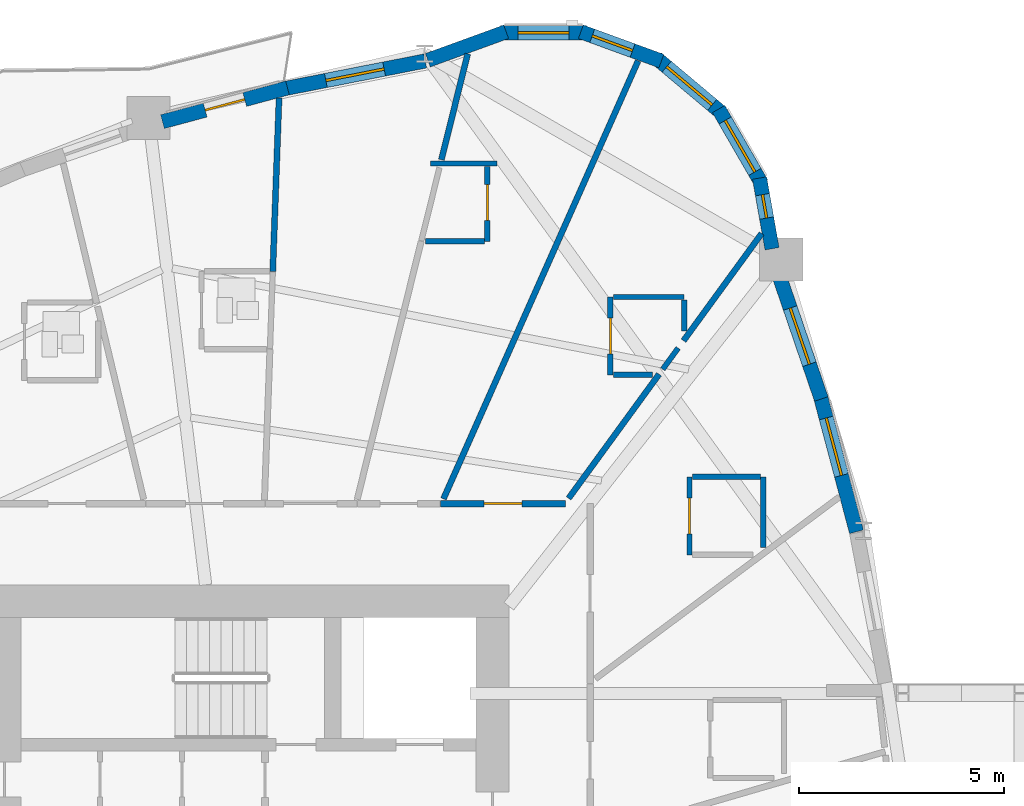
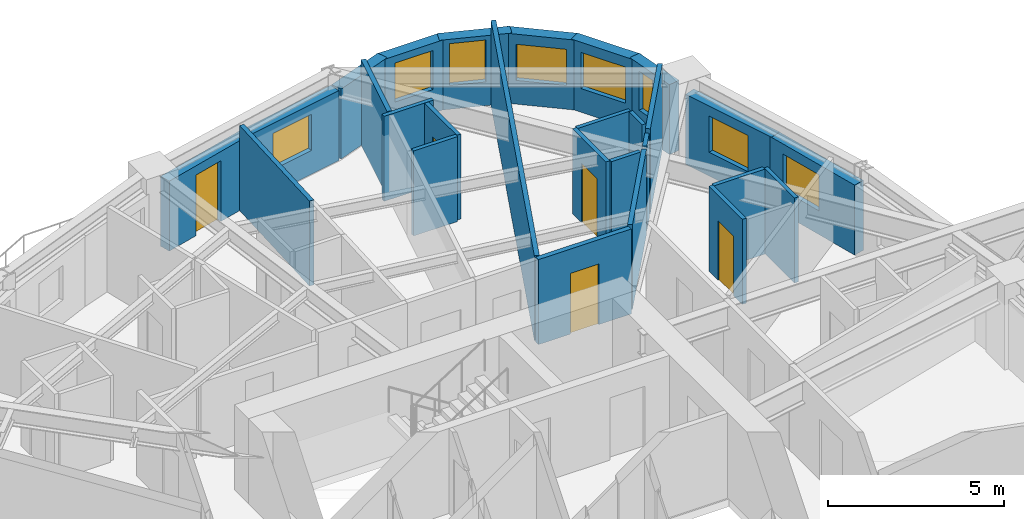
# One storey, part 10 of 16: 27 walls, 8 windows, 5 doors, 13 openings.
"""IFC4 building model written with IfcOpenShell, lengths in metres."""

from ifc_helpers import new_model, si_unit, direction, frame, frame_2d, origin, place, context, subcontext, project, spatial, rectangle, extrude, source, transform, mapped, material, layer, layer_set, type_object, element, fill, save


model = new_model("IFC4")

# Units and contexts
model_context = context("Model", 3, precision=1e-05, world=origin(), true_north=direction((0.0, 1.0)))
body_context = subcontext(model_context, "Body", "Model", "MODEL_VIEW")
ifc_project = project(units=[si_unit("LENGTHUNIT", "METRE"), si_unit("AREAUNIT", "SQUARE_METRE"), si_unit("VOLUMEUNIT", "CUBIC_METRE"), si_unit("PLANEANGLEUNIT", "RADIAN"), si_unit("MASSUNIT", "GRAM", prefix="KILO")], contexts=[model_context])

# Site, building, storey
site_placement = place(None, origin())
site = spatial("IfcSite", under=ifc_project, at=site_placement, CompositionType="ELEMENT")
building_placement = place(site_placement, origin())
building = spatial("IfcBuilding", under=site, at=building_placement, Name="Qafzar Sky-Pleat Residences", CompositionType="ELEMENT")
storey_placement = place(building_placement, frame((0.0, 0.0, 33.39990234375)))
storey = spatial("IfcBuildingStorey", under=building, at=storey_placement, Name="L09", CompositionType="ELEMENT", Elevation=33.39990234375)

# Wall, opening, door
ifc_material_1 = material(Name="Acoustic gypsum plasterboard partition", Category="gypsum")
ifc_layer_1 = layer(ifc_material_1, 0.159912109375)
ifc_layer_set_1 = layer_set([ifc_layer_1], Name="Acoustic gypsum plasterboard partition")
wall_type_1 = type_object("IfcWallType", Name="PART-COR-160", PredefinedType="PARTITIONING", material=ifc_layer_set_1)
wall_1_placement = place(storey_placement, frame((35.035888671875, 36.580078125, 0.0), z_axis=(0.0, 0.0, 1.0), x_axis=(1.0, 0.0, 0.0)))
wall_1 = element("IfcWall", 1, at=wall_1_placement, inside=storey, type_object=wall_type_1, Name="L09 Partition Wall PART-L09-PW-013", PredefinedType="PARTITIONING", context=body_context, shape_type="SweptSolid", body=[
    extrude(rectangle(XDim=3.045166015625, YDim=0.159912109375, at=frame_2d((1.5224609375, 0.0))), origin(), (0.0, 0.0, 1.0), 2.940185546875),
])
opening_1_placement = place(wall_1_placement, frame((1.0615234375, 0.0, 0.0)))
opening_1 = element("IfcOpeningElement", 2, at=opening_1_placement, cuts=wall_1, Name="Opening ID-04", PredefinedType="OPENING", context=body_context, shape_type="SweptSolid", body=[
    extrude(rectangle(XDim=0.919921875, YDim=2.10009765625, at=frame_2d((0.4599609375, 1.050048828125))), frame((0.0, 0.08984375, 0.0), z_axis=(0.0, -1.0, 0.0), x_axis=(1.0, 0.0, 0.0)), (0.0, 0.0, 1.0), 0.179931640625),
])
ifc_material_2 = material(Name="Timber-faced fire door", Category="wood")
door_type_1 = type_object("IfcDoorType", Name="DR-BED-920", OperationType="NOTDEFINED", PredefinedType="DOOR", material=ifc_material_2)
shared_shape_1 = source(origin(), body_context, "Body", "SweptSolid", [
    extrude(rectangle(XDim=0.919921875, YDim=2.10009765625, at=frame_2d((0.4599609375, 1.050048828125))), frame((0.0, 0.02490234375, 0.0), z_axis=(0.0, -1.0, 0.0), x_axis=(1.0, 0.0, 0.0)), (0.0, 0.0, 1.0), 0.050048828125),
])
door_1_placement = place(opening_1_placement, origin())
door_1 = element("IfcDoor", 3, at=door_1_placement, inside=storey, type_object=door_type_1, Name="L09 Co-Living Bedroom 11 Door", OperationType="SINGLE_SWING_LEFT", OverallHeight=2.10009765625, OverallWidth=0.919921875, PredefinedType="DOOR", context=body_context, shape_type="MappedRepresentation", body=[
    mapped(shared_shape_1, transform((0.0, 0.0, 0.0), x_axis=(1.0, 0.0, 0.0), y_axis=(0.0, 1.0, 0.0), z_axis=(0.0, 0.0, 1.0), scale=1.0)),
])
fill(opening_1, door_1)

# Walls
ifc_layer_2 = layer(ifc_material_1, 0.14501953125)
ifc_layer_set_2 = layer_set([ifc_layer_2], Name="Acoustic gypsum plasterboard partition")
wall_type_2 = type_object("IfcWallType", Name="PART-UNIT-145", PredefinedType="PARTITIONING", material=ifc_layer_set_2)
wall_2_placement = place(storey_placement, frame((35.10400390625, 36.69677734375, 0.0), z_axis=(0.0, 0.0, 1.0), x_axis=(0.406121034368, 0.913819295837, 0.0)))
element("IfcWall", 4, at=wall_2_placement, inside=storey, type_object=wall_type_2, Name="L09 Partition Wall PART-L09-PW-035", PredefinedType="PARTITIONING", context=body_context, shape_type="SweptSolid", body=[
    extrude(rectangle(XDim=11.6953125, YDim=0.14501953125, at=frame_2d((5.84765625, 0.0))), origin(), (0.0, 0.0, 1.0), 2.940185546875),
])
wall_3_placement = place(storey_placement, frame((30.93994140625, 42.2470703125, 0.0), z_axis=(0.0, 0.0, 1.0), x_axis=(0.03624948077, 0.999342771597, 0.0)))
element("IfcWall", 5, at=wall_3_placement, inside=storey, type_object=wall_type_2, Name="L09 Partition Wall PART-L09-PW-052", PredefinedType="PARTITIONING", context=body_context, shape_type="SweptSolid", body=[
    extrude(rectangle(XDim=4.2294921875, YDim=0.14501953125, at=frame_2d((2.11474609375, 0.0))), origin(), (0.0, 0.0, 1.0), 2.940185546875),
])
wall_4_placement = place(storey_placement, frame((38.156982421875, 36.709228515625, 0.0), z_axis=(0.0, 0.0, 1.0), x_axis=(0.589039209188, 0.808104454906, 0.0)))
element("IfcWall", 6, at=wall_4_placement, inside=storey, type_object=wall_type_2, Name="L09 Partition Wall PART-L09-PW-053", PredefinedType="PARTITIONING", context=body_context, shape_type="SweptSolid", body=[
    extrude(rectangle(XDim=3.746826171875, YDim=0.14501953125, at=frame_2d((1.87353515625, 0.0))), origin(), (0.0, 0.0, 1.0), 2.940185546875),
])
wall_5_placement = place(storey_placement, frame((40.9609375, 40.554931640625, 0.0), z_axis=(0.0, 0.0, 1.0), x_axis=(0.589014212848, 0.808122674514, 0.0)))
element("IfcWall", 7, at=wall_5_placement, inside=storey, type_object=wall_type_2, Name="L09 Partition Wall PART-L09-PW-057", PredefinedType="PARTITIONING", context=body_context, shape_type="SweptSolid", body=[
    extrude(rectangle(XDim=3.238037109375, YDim=0.14501953125, at=frame_2d((1.619140625, 0.0))), origin(), (0.0, 0.0, 1.0), 2.940185546875),
])
wall_6_placement = place(storey_placement, frame((35.054443359375, 44.96923828125, 0.0), z_axis=(0.0, 0.0, 1.0), x_axis=(0.240615617293, 0.970620484388, 0.0)))
element("IfcWall", 8, at=wall_6_placement, inside=storey, type_object=wall_type_2, Name="L09 Partition Wall PART-L09-PW-058", PredefinedType="PARTITIONING", context=body_context, shape_type="SweptSolid", body=[
    extrude(rectangle(XDim=2.66357421875, YDim=0.14501953125, at=frame_2d((1.331787109375, 0.0))), origin(), (0.0, 0.0, 1.0), 2.940185546875),
])

# Wall, opening, door
ifc_material_3 = material(Name="Moisture-resistant gypsum partition", Category="gypsum")
ifc_layer_3 = layer(ifc_material_3, 0.1298828125)
ifc_layer_set_3 = layer_set([ifc_layer_3], Name="Moisture-resistant gypsum partition")
wall_type_3 = type_object("IfcWallType", Name="PART-WET-130", PredefinedType="PARTITIONING", material=ifc_layer_set_3)
wall_7_placement = place(storey_placement, frame((41.10595703125, 37.23291015625, 0.0), z_axis=(0.0, 0.0, 1.0), x_axis=(0.0, -1.0, 0.0)))
wall_7 = element("IfcWall", 9, at=wall_7_placement, inside=storey, type_object=wall_type_3, Name="L09 Partition Wall PART-L09-PW-027", PredefinedType="PARTITIONING", context=body_context, shape_type="SweptSolid", body=[
    extrude(rectangle(XDim=1.89990234375, YDim=0.1298828125, at=frame_2d((0.949951171875, 0.0))), origin(), (0.0, 0.0, 1.0), 2.940185546875),
])
opening_2_placement = place(wall_7_placement, frame((0.510009765625, 0.0, 0.0)))
opening_2 = element("IfcOpeningElement", 10, at=opening_2_placement, cuts=wall_7, Name="Opening ID-07", PredefinedType="OPENING", context=body_context, shape_type="SweptSolid", body=[
    extrude(rectangle(XDim=0.8798828125, YDim=2.050048828125, at=frame_2d((0.43994140625, 1.02490234375))), frame((0.0, 0.074951171875, 0.0), z_axis=(0.0, -1.0, 0.0), x_axis=(1.0, 0.0, 0.0)), (0.0, 0.0, 1.0), 0.14990234375),
])
door_type_2 = type_object("IfcDoorType", Name="DR-WET-880", OperationType="NOTDEFINED", PredefinedType="DOOR", material=ifc_material_2)
shared_shape_2 = source(origin(), body_context, "Body", "SweptSolid", [
    extrude(rectangle(XDim=0.8798828125, YDim=2.050048828125, at=frame_2d((0.43994140625, 1.02490234375))), frame((0.0, 0.02490234375, 0.0), z_axis=(0.0, -1.0, 0.0), x_axis=(1.0, 0.0, 0.0)), (0.0, 0.0, 1.0), 0.050048828125),
])
door_2_placement = place(opening_2_placement, origin())
door_2 = element("IfcDoor", 11, at=door_2_placement, inside=storey, type_object=door_type_2, Name="L09 En-suite Bathroom 10 Door", OperationType="SINGLE_SWING_LEFT", OverallHeight=2.050048828125, OverallWidth=0.8798828125, PredefinedType="DOOR", context=body_context, shape_type="MappedRepresentation", body=[
    mapped(shared_shape_2, transform((0.0, 0.0, 0.0), x_axis=(1.0, 0.0, 0.0), y_axis=(0.0, 1.0, 0.0), z_axis=(0.0, 0.0, 1.0), scale=1.0)),
])
fill(opening_2, door_2)

wall_8_placement = place(storey_placement, frame((39.176025390625, 41.6220703125, 0.0), z_axis=(0.0, 0.0, 1.0), x_axis=(0.0, -1.0, 0.0)))
wall_8 = element("IfcWall", 12, at=wall_8_placement, inside=storey, type_object=wall_type_3, Name="L09 Partition Wall PART-L09-PW-028", PredefinedType="PARTITIONING", context=body_context, shape_type="SweptSolid", body=[
    extrude(rectangle(XDim=1.900146484375, YDim=0.1298828125, at=frame_2d((0.9501953125, 0.0))), origin(), (0.0, 0.0, 1.0), 2.940185546875),
])
opening_3_placement = place(wall_8_placement, frame((0.510009765625, 0.0, 0.0)))
opening_3 = element("IfcOpeningElement", 13, at=opening_3_placement, cuts=wall_8, Name="Opening ID-07", PredefinedType="OPENING", context=body_context, shape_type="SweptSolid", body=[
    extrude(rectangle(XDim=0.8798828125, YDim=2.050048828125, at=frame_2d((0.43994140625, 1.02490234375))), frame((0.0, 0.074951171875, 0.0), z_axis=(0.0, -1.0, 0.0), x_axis=(1.0, 0.0, 0.0)), (0.0, 0.0, 1.0), 0.14990234375),
])
door_3_placement = place(opening_3_placement, origin())
door_3 = element("IfcDoor", 14, at=door_3_placement, inside=storey, type_object=door_type_2, Name="L09 En-suite Bathroom 11 Door", OperationType="SINGLE_SWING_RIGHT", OverallHeight=2.050048828125, OverallWidth=0.8798828125, PredefinedType="DOOR", context=body_context, shape_type="MappedRepresentation", body=[
    mapped(shared_shape_2, transform((0.0, 0.0, 0.0), x_axis=(1.0, 0.0, 0.0), y_axis=(0.0, 1.0, 0.0), z_axis=(0.0, 0.0, 1.0), scale=1.0)),
])
fill(opening_3, door_3)

wall_9_placement = place(storey_placement, frame((36.176025390625, 42.97900390625, 0.0), z_axis=(0.0, 0.0, 1.0), x_axis=(0.0, 1.0, 0.0)))
wall_9 = element("IfcWall", 15, at=wall_9_placement, inside=storey, type_object=wall_type_3, Name="L09 Partition Wall PART-L09-PW-029", PredefinedType="PARTITIONING", context=body_context, shape_type="SweptSolid", body=[
    extrude(rectangle(XDim=1.826904296875, YDim=0.1298828125, at=frame_2d((0.91357421875, 0.0))), origin(), (0.0, 0.0, 1.0), 2.940185546875),
])
opening_4_placement = place(wall_9_placement, frame((0.510009765625, 0.0, 0.0)))
opening_4 = element("IfcOpeningElement", 16, at=opening_4_placement, cuts=wall_9, Name="Opening ID-07", PredefinedType="OPENING", context=body_context, shape_type="SweptSolid", body=[
    extrude(rectangle(XDim=0.8798828125, YDim=2.050048828125, at=frame_2d((0.43994140625, 1.02490234375))), frame((0.0, 0.074951171875, 0.0), z_axis=(0.0, -1.0, 0.0), x_axis=(1.0, 0.0, 0.0)), (0.0, 0.0, 1.0), 0.14990234375),
])
door_4_placement = place(opening_4_placement, origin())
door_4 = element("IfcDoor", 17, at=door_4_placement, inside=storey, type_object=door_type_2, Name="L09 En-suite Bathroom 12 Door", OperationType="SINGLE_SWING_LEFT", OverallHeight=2.050048828125, OverallWidth=0.8798828125, PredefinedType="DOOR", context=body_context, shape_type="MappedRepresentation", body=[
    mapped(shared_shape_2, transform((0.0, 0.0, 0.0), x_axis=(1.0, 0.0, 0.0), y_axis=(0.0, 1.0, 0.0), z_axis=(0.0, 0.0, 1.0), scale=1.0)),
])
fill(opening_4, door_4)

# Walls
wall_10_placement = place(storey_placement, frame((42.906005859375, 35.505859375, 0.0), z_axis=(0.0, 0.0, 1.0), x_axis=(0.0, 1.0, 0.0)))
element("IfcWall", 18, at=wall_10_placement, inside=storey, type_object=wall_type_3, Name="L09 Partition Wall PART-L09-PW-065", PredefinedType="PARTITIONING", context=body_context, shape_type="SweptSolid", body=[
    extrude(rectangle(XDim=1.72705078125, YDim=0.1298828125, at=frame_2d((0.863525390625, 0.0))), origin(), (0.0, 0.0, 1.0), 2.940185546875),
])
wall_11_placement = place(storey_placement, frame((41.178955078125, 37.23291015625, 0.0), z_axis=(0.0, 0.0, 1.0), x_axis=(1.0, 0.0, 0.0)))
element("IfcWall", 19, at=wall_11_placement, inside=storey, type_object=wall_type_3, Name="L09 Partition Wall PART-L09-PW-077", PredefinedType="PARTITIONING", context=body_context, shape_type="SweptSolid", body=[
    extrude(rectangle(XDim=1.654052734375, YDim=0.1298828125, at=frame_2d((0.8271484375, 0.0))), origin(), (0.0, 0.0, 1.0), 2.940185546875),
])
wall_12_placement = place(storey_placement, frame((39.2490234375, 41.6220703125, 0.0), z_axis=(0.0, 0.0, 1.0), x_axis=(1.0, 0.0, 0.0)))
element("IfcWall", 20, at=wall_12_placement, inside=storey, type_object=wall_type_3, Name="L09 Partition Wall PART-L09-PW-078", PredefinedType="PARTITIONING", context=body_context, shape_type="SweptSolid", body=[
    extrude(rectangle(XDim=1.72705078125, YDim=0.1298828125, at=frame_2d((0.863525390625, 0.0))), origin(), (0.0, 0.0, 1.0), 2.940185546875),
])
wall_13_placement = place(storey_placement, frame((34.659912109375, 42.97900390625, 0.0), z_axis=(0.0, 0.0, 1.0), x_axis=(1.0, 0.0, 0.0)))
element("IfcWall", 21, at=wall_13_placement, inside=storey, type_object=wall_type_3, Name="L09 Partition Wall PART-L09-PW-086", PredefinedType="PARTITIONING", context=body_context, shape_type="SweptSolid", body=[
    extrude(rectangle(XDim=1.443115234375, YDim=0.1298828125, at=frame_2d((0.7216796875, 0.0))), origin(), (0.0, 0.0, 1.0), 2.940185546875),
])
wall_14_placement = place(storey_placement, frame((39.2490234375, 39.721923828125, 0.0), z_axis=(0.0, 0.0, 1.0), x_axis=(1.0, 0.0, 0.0)))
element("IfcWall", 22, at=wall_14_placement, inside=storey, type_object=wall_type_3, Name="L09 Partition Wall PART-L09-PW-091", PredefinedType="PARTITIONING", context=body_context, shape_type="SweptSolid", body=[
    extrude(rectangle(XDim=0.958984375, YDim=0.1298828125, at=frame_2d((0.4794921875, 0.0))), origin(), (0.0, 0.0, 1.0), 2.940185546875),
])
wall_15_placement = place(storey_placement, frame((34.7919921875, 44.87890625, 0.0), z_axis=(0.0, 0.0, 1.0), x_axis=(1.0, 0.0, 0.0)))
element("IfcWall", 23, at=wall_15_placement, inside=storey, type_object=wall_type_3, Name="L09 Partition Wall PART-L09-PW-092", PredefinedType="PARTITIONING", context=body_context, shape_type="SweptSolid", body=[
    extrude(rectangle(XDim=1.6240234375, YDim=0.1298828125, at=frame_2d((0.81201171875, 0.0))), origin(), (0.0, 0.0, 1.0), 2.940185546875),
])
wall_16_placement = place(storey_placement, frame((40.97607421875, 40.79638671875, 0.0), z_axis=(0.0, 0.0, 1.0), x_axis=(0.0, 1.0, 0.0)))
element("IfcWall", 24, at=wall_16_placement, inside=storey, type_object=wall_type_3, Name="L09 Partition Wall PART-L09-PW-093", PredefinedType="PARTITIONING", context=body_context, shape_type="SweptSolid", body=[
    extrude(rectangle(XDim=0.752685546875, YDim=0.1298828125, at=frame_2d((0.37646484375, 0.0))), origin(), (0.0, 0.0, 1.0), 2.940185546875),
])
wall_17_placement = place(storey_placement, frame((40.453369140625, 39.8583984375, 0.0), z_axis=(0.0, 0.0, 1.0), x_axis=(0.589192932261, 0.807992381507, 0.0)))
element("IfcWall", 25, at=wall_17_placement, inside=storey, type_object=wall_type_3, Name="L09 Partition Wall PART-L09-PW-095", PredefinedType="PARTITIONING", context=body_context, shape_type="SweptSolid", body=[
    extrude(rectangle(XDim=0.639404296875, YDim=0.1298828125, at=frame_2d((0.31982421875, 0.0))), origin(), (0.0, 0.0, 1.0), 2.940185546875),
])

# Wall, opening, window
ifc_material_4 = material(Name="Precast concrete C40/50 with honed Riyadh limestone", Category="concrete")
ifc_layer_4 = layer(ifc_material_4, 0.35009765625)
ifc_layer_set_4 = layer_set([ifc_layer_4], Name="Precast concrete C40/50 with honed Riyadh limestone")
wall_type_4 = type_object("IfcWallType", Name="WALL-EXT-350", PredefinedType="SOLIDWALL", material=ifc_layer_set_4)
wall_18_placement = place(storey_placement, frame((45.180908203125, 35.893798828125, 0.0), z_axis=(0.0, 0.0, 1.0), x_axis=(-0.257039630222, 0.966400863253, 0.0)))
wall_18 = element("IfcWall", 26, at=wall_18_placement, inside=storey, type_object=wall_type_4, Name="L09 Limestone Facade Wall 31", PredefinedType="SOLIDWALL", context=body_context, shape_type="SweptSolid", body=[
    extrude(rectangle(XDim=3.439208984375, YDim=0.35009765625, at=frame_2d((1.7197265625, 0.0))), origin(), (0.0, 0.0, 1.0), 2.420166015625),
])
opening_5_placement = place(wall_18_placement, frame((1.4228515625, 0.0, 0.820068359375)))
opening_5 = element("IfcOpeningElement", 27, at=opening_5_placement, cuts=wall_18, Name="Opening WN-15", PredefinedType="OPENING", context=body_context, shape_type="SweptSolid", body=[
    extrude(rectangle(XDim=1.449951171875, YDim=1.25, at=frame_2d((0.72509765625, 0.625))), frame((0.0, 0.18505859375, 0.0), z_axis=(0.0, -1.0, 0.0), x_axis=(1.0, 0.0, 0.0)), (0.0, 0.0, 1.0), 0.3701171875),
])
ifc_material_5 = material(Name="Solar-control low-E glass in bronze aluminium frame", Category="glass")
window_type_1 = type_object("IfcWindowType", Name="WIN-15", PartitioningType="SINGLE_PANEL", PredefinedType="WINDOW", material=ifc_material_5)
shared_shape_3 = source(origin(), body_context, "Body", "SweptSolid", [
    extrude(rectangle(XDim=1.449951171875, YDim=1.25, at=frame_2d((0.72509765625, 0.625))), frame((0.0, 0.030029296875, 0.0), z_axis=(0.0, -1.0, 0.0), x_axis=(1.0, 0.0, 0.0)), (0.0, 0.0, 1.0), 0.06005859375),
])
window_1_placement = place(opening_5_placement, origin())
window_1 = element("IfcWindow", 28, at=window_1_placement, inside=storey, type_object=window_type_1, Name="L09 Punched Facade Window 31-2", OverallHeight=1.25, OverallWidth=1.449951171875, PartitioningType="SINGLE_PANEL", PredefinedType="WINDOW", context=body_context, shape_type="MappedRepresentation", body=[
    mapped(shared_shape_3, transform((0.0, 0.0, 0.0), x_axis=(1.0, 0.0, 0.0), y_axis=(0.0, 1.0, 0.0), z_axis=(0.0, 0.0, 1.0), scale=1.0)),
])
fill(opening_5, window_1)

wall_19_placement = place(storey_placement, frame((44.322509765625, 39.13330078125, 0.0), z_axis=(0.0, 0.0, 1.0), x_axis=(-0.323559565071, 0.946207803736, 0.0)))
wall_19 = element("IfcWall", 29, at=wall_19_placement, inside=storey, type_object=wall_type_4, Name="L09 Limestone Facade Wall 32", PredefinedType="SOLIDWALL", context=body_context, shape_type="SweptSolid", body=[
    extrude(rectangle(XDim=3.232421875, YDim=0.35009765625, at=frame_2d((1.6162109375, 0.0))), origin(), (0.0, 0.0, 1.0), 2.420166015625),
])
opening_6_placement = place(wall_19_placement, frame((0.896240234375, 0.0, 0.820068359375)))
opening_6 = element("IfcOpeningElement", 30, at=opening_6_placement, cuts=wall_19, Name="Opening WN-15", PredefinedType="OPENING", context=body_context, shape_type="SweptSolid", body=[
    extrude(rectangle(XDim=1.449951171875, YDim=1.25, at=frame_2d((0.72509765625, 0.625))), frame((0.0, 0.18505859375, 0.0), z_axis=(0.0, -1.0, 0.0), x_axis=(1.0, 0.0, 0.0)), (0.0, 0.0, 1.0), 0.3701171875),
])
window_2_placement = place(opening_6_placement, origin())
window_2 = element("IfcWindow", 31, at=window_2_placement, inside=storey, type_object=window_type_1, Name="L09 Punched Facade Window 32", OverallHeight=1.25, OverallWidth=1.449951171875, PartitioningType="SINGLE_PANEL", PredefinedType="WINDOW", context=body_context, shape_type="MappedRepresentation", body=[
    mapped(shared_shape_3, transform((0.0, 0.0, 0.0), x_axis=(1.0, 0.0, 0.0), y_axis=(0.0, 1.0, 0.0), z_axis=(0.0, 0.0, 1.0), scale=1.0)),
])
fill(opening_6, window_2)

wall_20_placement = place(storey_placement, frame((43.12060546875, 42.797607421875, 0.0), z_axis=(0.0, 0.0, 1.0), x_axis=(-0.173610462023, 0.984814402553, 0.0)))
wall_20 = element("IfcWall", 32, at=wall_20_placement, inside=storey, type_object=wall_type_4, Name="L09 Limestone Facade Wall 33", PredefinedType="SOLIDWALL", context=body_context, shape_type="SweptSolid", body=[
    extrude(rectangle(XDim=1.752197265625, YDim=0.35009765625, at=frame_2d((0.8759765625, 0.0))), origin(), (0.0, 0.0, 1.0), 2.420166015625),
])
opening_7_placement = place(wall_20_placement, frame((0.760986328125, 0.0, 0.820068359375)))
opening_7 = element("IfcOpeningElement", 33, at=opening_7_placement, cuts=wall_20, Name="Opening WN-17", PredefinedType="OPENING", context=body_context, shape_type="SweptSolid", body=[
    extrude(rectangle(XDim=0.580078125, YDim=1.35009765625, at=frame_2d((0.2900390625, 0.675048828125))), frame((0.0, 0.18505859375, 0.0), z_axis=(0.0, -1.0, 0.0), x_axis=(1.0, 0.0, 0.0)), (0.0, 0.0, 1.0), 0.3701171875),
])
window_type_2 = type_object("IfcWindowType", Name="WIN-17", PartitioningType="SINGLE_PANEL", PredefinedType="WINDOW", material=ifc_material_5)
shared_shape_4 = source(origin(), body_context, "Body", "SweptSolid", [
    extrude(rectangle(XDim=0.580078125, YDim=1.35009765625, at=frame_2d((0.2900390625, 0.675048828125))), frame((0.0, 0.030029296875, 0.0), z_axis=(0.0, -1.0, 0.0), x_axis=(1.0, 0.0, 0.0)), (0.0, 0.0, 1.0), 0.06005859375),
])
window_3_placement = place(opening_7_placement, origin())
window_3 = element("IfcWindow", 34, at=window_3_placement, inside=storey, type_object=window_type_2, Name="L09 Punched Facade Window 33-2", OverallHeight=1.35009765625, OverallWidth=0.580078125, PartitioningType="SINGLE_PANEL", PredefinedType="WINDOW", context=body_context, shape_type="MappedRepresentation", body=[
    mapped(shared_shape_4, transform((0.0, 0.0, 0.0), x_axis=(1.0, 0.0, 0.0), y_axis=(0.0, 1.0, 0.0), z_axis=(0.0, 0.0, 1.0), scale=1.0)),
])
fill(opening_7, window_3)

wall_21_placement = place(storey_placement, frame((42.862548828125, 44.395751953125, 0.0), z_axis=(0.0, 0.0, 1.0), x_axis=(-0.499995423472, 0.866028046028, 0.0)))
wall_21 = element("IfcWall", 35, at=wall_21_placement, inside=storey, type_object=wall_type_4, Name="L09 Limestone Facade Wall 34", PredefinedType="SOLIDWALL", context=body_context, shape_type="SweptSolid", body=[
    extrude(rectangle(XDim=2.09033203125, YDim=0.35009765625, at=frame_2d((1.045166015625, 0.0))), origin(), (0.0, 0.0, 1.0), 2.420166015625),
])
opening_8_placement = place(wall_21_placement, frame((0.3203125, 0.0, 0.820068359375)))
opening_8 = element("IfcOpeningElement", 36, at=opening_8_placement, cuts=wall_21, Name="Opening WN-15", PredefinedType="OPENING", context=body_context, shape_type="SweptSolid", body=[
    extrude(rectangle(XDim=1.449951171875, YDim=1.25, at=frame_2d((0.72509765625, 0.625))), frame((0.0, 0.18505859375, 0.0), z_axis=(0.0, -1.0, 0.0), x_axis=(1.0, 0.0, 0.0)), (0.0, 0.0, 1.0), 0.3701171875),
])
window_4_placement = place(opening_8_placement, origin())
window_4 = element("IfcWindow", 37, at=window_4_placement, inside=storey, type_object=window_type_1, Name="L09 Punched Facade Window 34", OverallHeight=1.25, OverallWidth=1.449951171875, PartitioningType="SINGLE_PANEL", PredefinedType="WINDOW", context=body_context, shape_type="MappedRepresentation", body=[
    mapped(shared_shape_3, transform((0.0, 0.0, 0.0), x_axis=(1.0, 0.0, 0.0), y_axis=(0.0, 1.0, 0.0), z_axis=(0.0, 0.0, 1.0), scale=1.0)),
])
fill(opening_8, window_4)

wall_22_placement = place(storey_placement, frame((41.90478515625, 46.10205078125, 0.0), z_axis=(0.0, 0.0, 1.0), x_axis=(-0.766024572719, 0.642811289563, 0.0)))
wall_22 = element("IfcWall", 38, at=wall_22_placement, inside=storey, type_object=wall_type_4, Name="L09 Limestone Facade Wall 35", PredefinedType="SOLIDWALL", context=body_context, shape_type="SweptSolid", body=[
    extrude(rectangle(XDim=2.09033203125, YDim=0.35009765625, at=frame_2d((1.045166015625, 0.0))), origin(), (0.0, 0.0, 1.0), 2.420166015625),
])
opening_9_placement = place(wall_22_placement, frame((0.3203125, 0.0, 0.820068359375)))
opening_9 = element("IfcOpeningElement", 39, at=opening_9_placement, cuts=wall_22, Name="Opening WN-15", PredefinedType="OPENING", context=body_context, shape_type="SweptSolid", body=[
    extrude(rectangle(XDim=1.449951171875, YDim=1.25, at=frame_2d((0.72509765625, 0.625))), frame((0.0, 0.18505859375, 0.0), z_axis=(0.0, -1.0, 0.0), x_axis=(1.0, 0.0, 0.0)), (0.0, 0.0, 1.0), 0.3701171875),
])
window_5_placement = place(opening_9_placement, origin())
window_5 = element("IfcWindow", 40, at=window_5_placement, inside=storey, type_object=window_type_1, Name="L09 Punched Facade Window 35", OverallHeight=1.25, OverallWidth=1.449951171875, PartitioningType="SINGLE_PANEL", PredefinedType="WINDOW", context=body_context, shape_type="MappedRepresentation", body=[
    mapped(shared_shape_3, transform((0.0, 0.0, 0.0), x_axis=(1.0, 0.0, 0.0), y_axis=(0.0, 1.0, 0.0), z_axis=(0.0, 0.0, 1.0), scale=1.0)),
])
fill(opening_9, window_5)

wall_23_placement = place(storey_placement, frame((40.4208984375, 47.3779296875, 0.0), z_axis=(0.0, 0.0, 1.0), x_axis=(-0.939711556618, 0.341968113072, 0.0)))
wall_23 = element("IfcWall", 41, at=wall_23_placement, inside=storey, type_object=wall_type_4, Name="L09 Limestone Facade Wall 36", PredefinedType="SOLIDWALL", context=body_context, shape_type="SweptSolid", body=[
    extrude(rectangle(XDim=2.09033203125, YDim=0.35009765625, at=frame_2d((1.045166015625, 0.0))), origin(), (0.0, 0.0, 1.0), 2.420166015625),
])
opening_10_placement = place(wall_23_placement, frame((0.746826171875, 0.0, 0.820068359375)))
opening_10 = element("IfcOpeningElement", 42, at=opening_10_placement, cuts=wall_23, Name="Opening WN-06", PredefinedType="OPENING", context=body_context, shape_type="SweptSolid", body=[
    extrude(rectangle(XDim=1.050048828125, YDim=1.449951171875, at=frame_2d((0.52490234375, 0.72509765625))), frame((0.0, 0.18505859375, 0.0), z_axis=(0.0, -1.0, 0.0), x_axis=(1.0, 0.0, 0.0)), (0.0, 0.0, 1.0), 0.3701171875),
])
window_type_3 = type_object("IfcWindowType", Name="WIN-06", PartitioningType="SINGLE_PANEL", PredefinedType="WINDOW", material=ifc_material_5)
shared_shape_5 = source(origin(), body_context, "Body", "SweptSolid", [
    extrude(rectangle(XDim=1.050048828125, YDim=1.449951171875, at=frame_2d((0.52490234375, 0.72509765625))), frame((0.0, 0.030029296875, 0.0), z_axis=(0.0, -1.0, 0.0), x_axis=(1.0, 0.0, 0.0)), (0.0, 0.0, 1.0), 0.06005859375),
])
window_6_placement = place(opening_10_placement, origin())
window_6 = element("IfcWindow", 43, at=window_6_placement, inside=storey, type_object=window_type_3, Name="L09 Punched Facade Window 36-2", OverallHeight=1.449951171875, OverallWidth=1.050048828125, PartitioningType="SINGLE_PANEL", PredefinedType="WINDOW", context=body_context, shape_type="MappedRepresentation", body=[
    mapped(shared_shape_5, transform((0.0, 0.0, 0.0), x_axis=(1.0, 0.0, 0.0), y_axis=(0.0, 1.0, 0.0), z_axis=(0.0, 0.0, 1.0), scale=1.0)),
])
fill(opening_10, window_6)

wall_24_placement = place(storey_placement, frame((38.590087890625, 48.0693359375, 0.0), z_axis=(0.0, 0.0, 1.0), x_axis=(-1.0, 0.0, 0.0)))
wall_24 = element("IfcWall", 44, at=wall_24_placement, inside=storey, type_object=wall_type_4, Name="L09 Limestone Facade Wall 37", PredefinedType="SOLIDWALL", context=body_context, shape_type="SweptSolid", body=[
    extrude(rectangle(XDim=2.09033203125, YDim=0.35009765625, at=frame_2d((1.045166015625, 0.0))), origin(), (0.0, 0.0, 1.0), 2.420166015625),
])
opening_11_placement = place(wall_24_placement, frame((0.420166015625, 0.0, 0.820068359375)))
opening_11 = element("IfcOpeningElement", 45, at=opening_11_placement, cuts=wall_24, Name="Opening WN-11", PredefinedType="OPENING", context=body_context, shape_type="SweptSolid", body=[
    extrude(rectangle(XDim=1.25, YDim=1.35009765625, at=frame_2d((0.625, 0.675048828125))), frame((0.0, 0.18505859375, 0.0), z_axis=(0.0, -1.0, 0.0), x_axis=(1.0, 0.0, 0.0)), (0.0, 0.0, 1.0), 0.3701171875),
])
window_type_4 = type_object("IfcWindowType", Name="WIN-11", PartitioningType="SINGLE_PANEL", PredefinedType="WINDOW", material=ifc_material_5)
shared_shape_6 = source(origin(), body_context, "Body", "SweptSolid", [
    extrude(rectangle(XDim=1.25, YDim=1.35009765625, at=frame_2d((0.625, 0.675048828125))), frame((0.0, 0.030029296875, 0.0), z_axis=(0.0, -1.0, 0.0), x_axis=(1.0, 0.0, 0.0)), (0.0, 0.0, 1.0), 0.06005859375),
])
window_7_placement = place(opening_11_placement, origin())
window_7 = element("IfcWindow", 46, at=window_7_placement, inside=storey, type_object=window_type_4, Name="L09 Punched Facade Window 37", OverallHeight=1.35009765625, OverallWidth=1.25, PartitioningType="SINGLE_PANEL", PredefinedType="WINDOW", context=body_context, shape_type="MappedRepresentation", body=[
    mapped(shared_shape_6, transform((0.0, 0.0, 0.0), x_axis=(1.0, 0.0, 0.0), y_axis=(0.0, 1.0, 0.0), z_axis=(0.0, 0.0, 1.0), scale=1.0)),
])
fill(opening_11, window_7)

# Wall
wall_25_placement = place(storey_placement, frame((36.63330078125, 48.0927734375, 0.0), z_axis=(0.0, 0.0, 1.0), x_axis=(-0.939691662178, -0.342022777067, 0.0)))
element("IfcWall", 47, at=wall_25_placement, inside=storey, type_object=wall_type_4, Name="L09 Limestone Facade Wall 38", PredefinedType="SOLIDWALL", context=body_context, shape_type="SweptSolid", body=[
    extrude(rectangle(XDim=2.0322265625, YDim=0.35009765625, at=frame_2d((1.01611328125, 0.0))), origin(), (0.0, 0.0, 1.0), 2.420166015625),
])

# Wall, opening, window
wall_26_placement = place(storey_placement, frame((34.6591796875, 47.3798828125, 0.0), z_axis=(0.0, 0.0, 1.0), x_axis=(-0.981222284826, -0.19288034571, 0.0)))
wall_26 = element("IfcWall", 48, at=wall_26_placement, inside=storey, type_object=wall_type_4, Name="L09 Limestone Facade Wall 39", PredefinedType="SOLIDWALL", context=body_context, shape_type="SweptSolid", body=[
    extrude(rectangle(XDim=3.512451171875, YDim=0.35009765625, at=frame_2d((1.75634765625, 0.0))), origin(), (0.0, 0.0, 1.0), 2.420166015625),
])
opening_12_placement = place(wall_26_placement, frame((1.021240234375, 0.0, 0.820068359375)))
opening_12 = element("IfcOpeningElement", 49, at=opening_12_placement, cuts=wall_26, Name="Opening WN-15", PredefinedType="OPENING", context=body_context, shape_type="SweptSolid", body=[
    extrude(rectangle(XDim=1.449951171875, YDim=1.25, at=frame_2d((0.72509765625, 0.625))), frame((0.0, 0.18505859375, 0.0), z_axis=(0.0, -1.0, 0.0), x_axis=(1.0, 0.0, 0.0)), (0.0, 0.0, 1.0), 0.3701171875),
])
window_8_placement = place(opening_12_placement, origin())
window_8 = element("IfcWindow", 50, at=window_8_placement, inside=storey, type_object=window_type_1, Name="L09 Punched Facade Window 39", OverallHeight=1.25, OverallWidth=1.449951171875, PartitioningType="SINGLE_PANEL", PredefinedType="WINDOW", context=body_context, shape_type="MappedRepresentation", body=[
    mapped(shared_shape_3, transform((0.0, 0.0, 0.0), x_axis=(1.0, 0.0, 0.0), y_axis=(0.0, 1.0, 0.0), z_axis=(0.0, 0.0, 1.0), scale=1.0)),
])
fill(opening_12, window_8)

# Wall, opening, door
wall_27_placement = place(storey_placement, frame((31.29833984375, 46.722412109375, 0.0), z_axis=(0.0, 0.0, 1.0), x_axis=(-0.965455913242, -0.260566459057, 0.0)))
wall_27 = element("IfcWall", 51, at=wall_27_placement, inside=storey, type_object=wall_type_4, Name="L09 Limestone Facade Wall 40", PredefinedType="SOLIDWALL", context=body_context, shape_type="SweptSolid", body=[
    extrude(rectangle(XDim=3.159423828125, YDim=0.35009765625, at=frame_2d((1.57958984375, 0.0))), origin(), (0.0, 0.0, 1.0), 2.420166015625),
])
opening_13_placement = place(wall_27_placement, frame((1.079833984375, 0.0, 0.0)))
opening_13 = element("IfcOpeningElement", 52, at=opening_13_placement, cuts=wall_27, Name="Opening ED-05", PredefinedType="OPENING", context=body_context, shape_type="SweptSolid", body=[
    extrude(rectangle(XDim=1.0, YDim=2.10009765625, at=frame_2d((0.5, 1.050048828125))), frame((0.0, 0.18505859375, 0.0), z_axis=(0.0, -1.0, 0.0), x_axis=(1.0, 0.0, 0.0)), (0.0, 0.0, 1.0), 0.3701171875),
])
ifc_material_6 = material(Name="Glazed bronze aluminium door", Category="aluminium")
door_type_3 = type_object("IfcDoorType", Name="DR-BAL-1000", OperationType="NOTDEFINED", PredefinedType="DOOR", material=ifc_material_6)
shared_shape_7 = source(origin(), body_context, "Body", "SweptSolid", [
    extrude(rectangle(XDim=1.0, YDim=2.10009765625, at=frame_2d((0.5, 1.050048828125))), frame((0.0, 0.02490234375, 0.0), z_axis=(0.0, -1.0, 0.0), x_axis=(1.0, 0.0, 0.0)), (0.0, 0.0, 1.0), 0.050048828125),
])
door_5_placement = place(opening_13_placement, origin())
door_5 = element("IfcDoor", 53, at=door_5_placement, inside=storey, type_object=door_type_3, Name="L09 Glazed Balcony Door 1", OperationType="SINGLE_SWING_LEFT", OverallHeight=2.10009765625, OverallWidth=1.0, PredefinedType="DOOR", context=body_context, shape_type="MappedRepresentation", body=[
    mapped(shared_shape_7, transform((0.0, 0.0, 0.0), x_axis=(1.0, 0.0, 0.0), y_axis=(0.0, 1.0, 0.0), z_axis=(0.0, 0.0, 1.0), scale=1.0)),
])
fill(opening_13, door_5)

save(model, "model.ifc")
